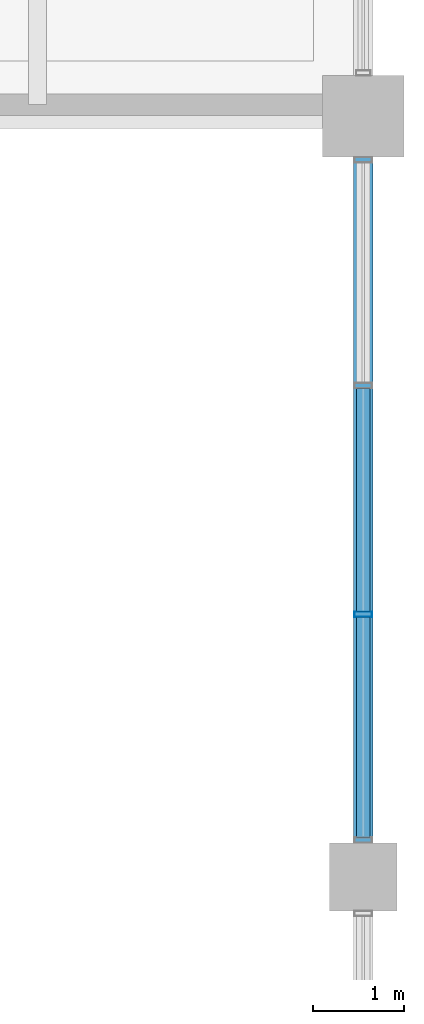
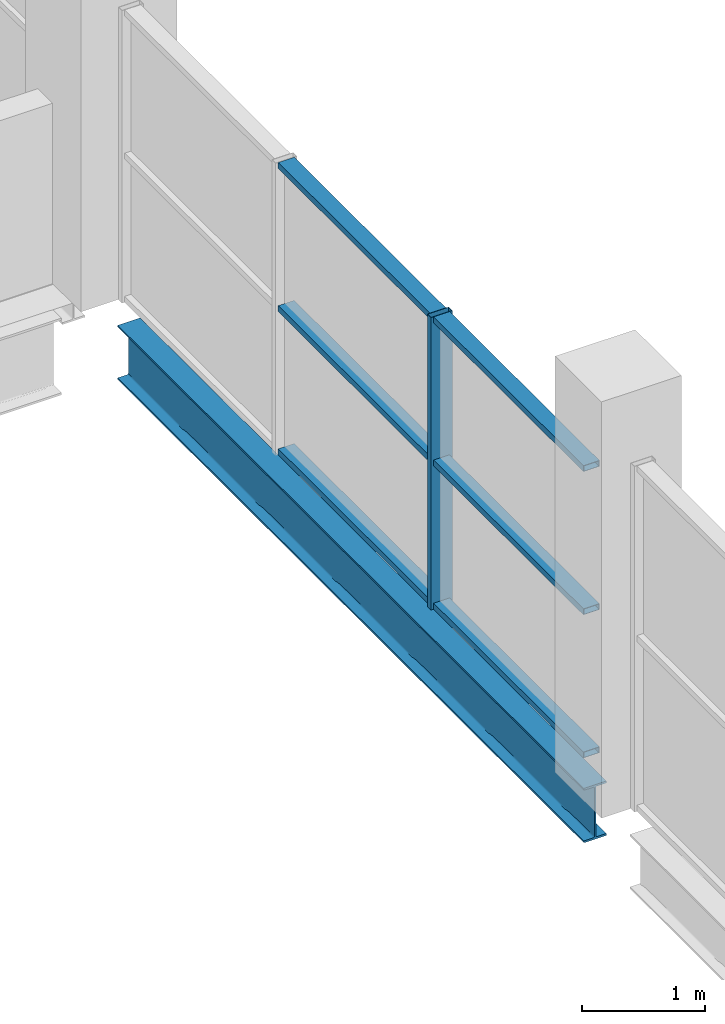
# One storey, part 28 of 68: 7 members, 1 beam, 1 element without a shape of its own.
"""IFC4 building model written with IfcOpenShell, lengths in metres."""

from ifc_helpers import new_model, si_unit, direction, frame, origin, origin_2d, place, context, subcontext, project, spatial, hollow_rectangle, i_section, extrude, material, material_profile, profile_set, type_object, element, aggregate, save


model = new_model("IFC4")

# Units and contexts
model_context = context("Model", 3, precision=1e-05, world=origin(), true_north=direction((0.0, 1.0)))
body_context = subcontext(model_context, "Body", "Model", "MODEL_VIEW")
ifc_project = project(units=[si_unit("LENGTHUNIT", "METRE"), si_unit("AREAUNIT", "SQUARE_METRE"), si_unit("VOLUMEUNIT", "CUBIC_METRE"), si_unit("PLANEANGLEUNIT", "RADIAN"), si_unit("MASSUNIT", "GRAM", prefix="KILO"), si_unit("THERMODYNAMICTEMPERATUREUNIT", "KELVIN")], contexts=[model_context])

# Site, building, storey
site_placement = place(None, origin())
site = spatial("IfcSite", under=ifc_project, at=site_placement, CompositionType="ELEMENT")
building_placement = place(site_placement, origin())
building = spatial("IfcBuilding", under=site, at=building_placement, Name="Nduvali Passage Aquatics Centre", CompositionType="ELEMENT")
storey_placement = place(building_placement, frame((0.0, 0.0, 13.199951171875)))
storey = spatial("IfcBuildingStorey", under=building, at=storey_placement, Name="L03", CompositionType="ELEMENT", Elevation=13.199951171875)

# Curtain wall, members
ifc_material_1 = material(Name="Aluminium EN AW-6063 T6", Category="aluminium")
curtain_wall_type = type_object("IfcCurtainWallType", Name="ENV-CW-CLER", PredefinedType="NOTDEFINED", material=ifc_material_1)
curtain_wall_placement = place(storey_placement, origin())
curtain_wall = element("IfcCurtainWall", 1, at=curtain_wall_placement, inside=storey, type_object=curtain_wall_type, Name="L03 East Passage Pool Hall High Arch Clerestory 043", PredefinedType="NOTDEFINED")
ifc_material_profile_1 = material_profile(ifc_material_1, hollow_rectangle(XDim=0.06005859375, YDim=0.199951171875, WallThickness=0.00390625, at=origin_2d()), Name="ALU MULLION 60x200x4")
ifc_profile_set_1 = profile_set([ifc_material_profile_1], Name="Aluminium EN AW-6063 T6")
member_type_1 = type_object("IfcMemberType", Name="ENV-MEM-MUL80", PredefinedType="MULLION", material=ifc_profile_set_1)
member_1_placement = place(storey_placement, frame((126.0, 86.89990234375, 0.0), z_axis=(0.0, 0.0, 1.0), x_axis=(0.0, 1.0, 0.0)))
member_1 = element("IfcMember", 2, at=member_1_placement, type_object=member_type_1, Name="East Passage Pool Hall High Arch Clerestory Mullion 2", PredefinedType="MULLION", context=body_context, shape_type="SweptSolid", body=[
    extrude(hollow_rectangle(XDim=0.06005859375, YDim=0.199951171875, WallThickness=0.00390625, at=origin_2d()), origin(), (0.0, 0.0, 1.0), 2.900146484375),
])
ifc_material_profile_2 = material_profile(ifc_material_1, hollow_rectangle(XDim=0.14990234375, YDim=0.06005859375, WallThickness=0.00390625, at=origin_2d()), Name="ALU TRANSOM 150x60x4")
ifc_profile_set_2 = profile_set([ifc_material_profile_2], Name="Aluminium EN AW-6063 T6")
member_type_2 = type_object("IfcMemberType", Name="ENV-MEM-TRN80", PredefinedType="USERDEFINED", material=ifc_profile_set_2)
member_2_placement = place(storey_placement, frame((126.0, 84.43505859375, 0.030029296875), z_axis=(0.0, 1.0, 0.0), x_axis=(-1.0, 0.0, 0.0)))
member_2 = element("IfcMember", 3, at=member_2_placement, type_object=member_type_2, Name="East Passage Pool Hall High Arch Clerestory Transom B1-R0", ObjectType="TRANSOM", PredefinedType="USERDEFINED", context=body_context, shape_type="SweptSolid", body=[
    extrude(hollow_rectangle(XDim=0.14990234375, YDim=0.06005859375, WallThickness=0.00390625, at=origin_2d()), origin(), (0.0, 0.0, 1.0), 2.43505859375),
])
member_3_placement = place(storey_placement, frame((126.0, 84.43505859375, 1.449951171875), z_axis=(0.0, 1.0, 0.0), x_axis=(-1.0, 0.0, 0.0)))
member_3 = element("IfcMember", 4, at=member_3_placement, type_object=member_type_2, Name="East Passage Pool Hall High Arch Clerestory Transom B1-R1", ObjectType="TRANSOM", PredefinedType="USERDEFINED", context=body_context, shape_type="SweptSolid", body=[
    extrude(hollow_rectangle(XDim=0.14990234375, YDim=0.06005859375, WallThickness=0.00390625, at=origin_2d()), origin(), (0.0, 0.0, 1.0), 2.43505859375),
])
member_4_placement = place(storey_placement, frame((126.0, 84.43505859375, 2.8701171875), z_axis=(0.0, 1.0, 0.0), x_axis=(-1.0, 0.0, 0.0)))
member_4 = element("IfcMember", 5, at=member_4_placement, type_object=member_type_2, Name="East Passage Pool Hall High Arch Clerestory Transom B1-R2", ObjectType="TRANSOM", PredefinedType="USERDEFINED", context=body_context, shape_type="SweptSolid", body=[
    extrude(hollow_rectangle(XDim=0.14990234375, YDim=0.06005859375, WallThickness=0.00390625, at=origin_2d()), origin(), (0.0, 0.0, 1.0), 2.43505859375),
])
member_5_placement = place(storey_placement, frame((126.0, 86.929931640625, 0.030029296875), z_axis=(0.0, 1.0, 0.0), x_axis=(-1.0, 0.0, 0.0)))
member_5 = element("IfcMember", 6, at=member_5_placement, type_object=member_type_2, Name="East Passage Pool Hall High Arch Clerestory Transom B2-R0", ObjectType="TRANSOM", PredefinedType="USERDEFINED", context=body_context, shape_type="SweptSolid", body=[
    extrude(hollow_rectangle(XDim=0.14990234375, YDim=0.06005859375, WallThickness=0.00390625, at=origin_2d()), origin(), (0.0, 0.0, 1.0), 2.465087890625),
])
member_6_placement = place(storey_placement, frame((126.0, 86.929931640625, 1.449951171875), z_axis=(0.0, 1.0, 0.0), x_axis=(-1.0, 0.0, 0.0)))
member_6 = element("IfcMember", 7, at=member_6_placement, type_object=member_type_2, Name="East Passage Pool Hall High Arch Clerestory Transom B2-R1", ObjectType="TRANSOM", PredefinedType="USERDEFINED", context=body_context, shape_type="SweptSolid", body=[
    extrude(hollow_rectangle(XDim=0.14990234375, YDim=0.06005859375, WallThickness=0.00390625, at=origin_2d()), origin(), (0.0, 0.0, 1.0), 2.465087890625),
])
member_7_placement = place(storey_placement, frame((126.0, 86.929931640625, 2.8701171875), z_axis=(0.0, 1.0, 0.0), x_axis=(-1.0, 0.0, 0.0)))
member_7 = element("IfcMember", 8, at=member_7_placement, type_object=member_type_2, Name="East Passage Pool Hall High Arch Clerestory Transom B2-R2", ObjectType="TRANSOM", PredefinedType="USERDEFINED", context=body_context, shape_type="SweptSolid", body=[
    extrude(hollow_rectangle(XDim=0.14990234375, YDim=0.06005859375, WallThickness=0.00390625, at=origin_2d()), origin(), (0.0, 0.0, 1.0), 2.465087890625),
])
aggregate(curtain_wall, [member_1, member_2, member_3, member_4, member_5, member_6, member_7])

# Beam
ifc_material_2 = material(Name="Steel S355", Category="steel")
ifc_material_profile_3 = material_profile(ifc_material_2, i_section(OverallWidth=0.210693359375, OverallDepth=0.53955078125, WebThickness=0.01171875, FlangeThickness=0.018798828125, FilletRadius=0.0126953125, at=origin_2d()), Name="UKB 533x210x109")
ifc_profile_set_3 = profile_set([ifc_material_profile_3], Name="Steel S355")
beam_type = type_object("IfcBeamType", Name="STR-BM-UKB533-EXT", PredefinedType="BEAM", material=ifc_profile_set_3)
beam_placement = place(storey_placement, frame((126.0, 84.375, -0.523681640625), z_axis=(0.0, 1.0, 0.0), x_axis=(-1.0, 0.0, 0.0)))
element("IfcBeam", 9, at=beam_placement, inside=storey, type_object=beam_type, Name="L03 Primary Y-Girder B6E-1280", PredefinedType="BEAM", context=body_context, shape_type="SweptSolid", body=[
    extrude(i_section(OverallWidth=0.210693359375, OverallDepth=0.53955078125, WebThickness=0.01171875, FlangeThickness=0.018798828125, FilletRadius=0.0126953125, at=origin_2d()), origin(), (0.0, 0.0, 1.0), 7.574951171875),
])

save(model, "model.ifc")
